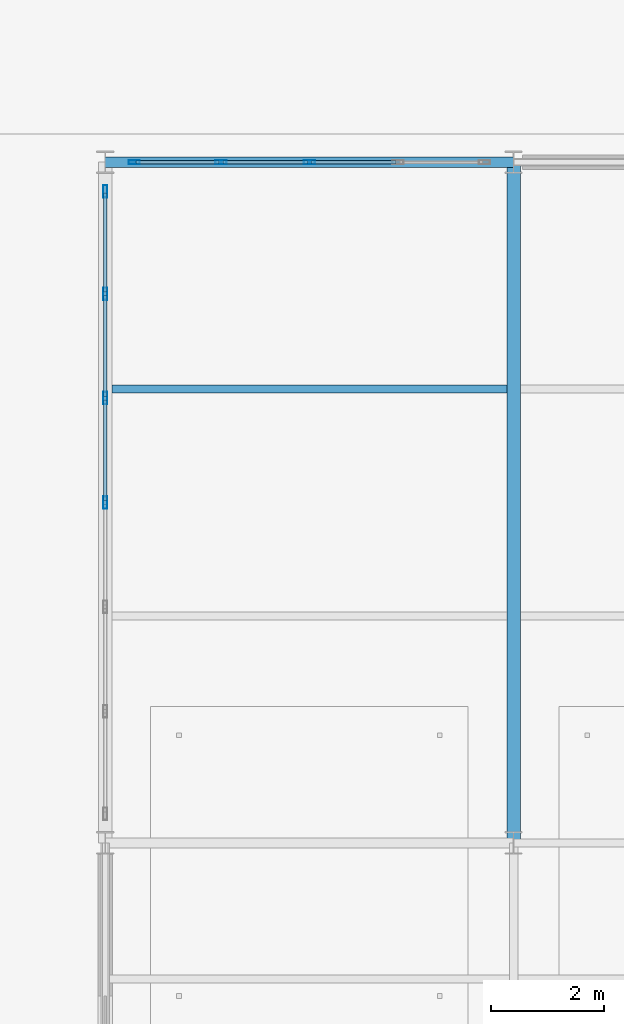
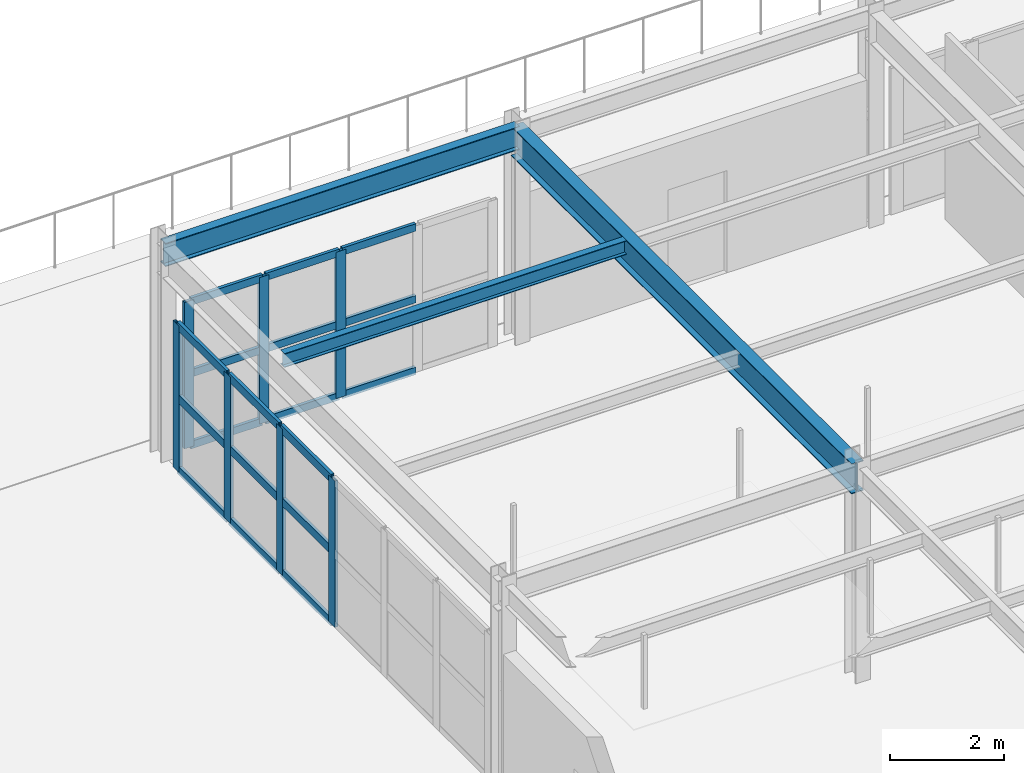
# One storey, part 16 of 41: 25 members, 3 beams, 2 elements without a shape of their own.
"""IFC4 building model written with IfcOpenShell, lengths in metres."""

from ifc_helpers import new_model, si_unit, direction, frame, origin, origin_2d, place, context, subcontext, project, spatial, hollow_rectangle, i_section, extrude, material, layer, layer_set, material_profile, profile_set, type_object, element, aggregate, save


model = new_model("IFC4")

# Units and contexts
model_context = context("Model", 3, precision=1e-05, world=origin(), true_north=direction((0.0, 1.0)))
body_context = subcontext(model_context, "Body", "Model", "MODEL_VIEW")
ifc_project = project(units=[si_unit("LENGTHUNIT", "METRE"), si_unit("AREAUNIT", "SQUARE_METRE"), si_unit("VOLUMEUNIT", "CUBIC_METRE"), si_unit("PLANEANGLEUNIT", "RADIAN"), si_unit("MASSUNIT", "GRAM", prefix="KILO")], contexts=[model_context])

# Site, building, storey
site_placement = place(None, origin())
site = spatial("IfcSite", under=ifc_project, at=site_placement, CompositionType="ELEMENT")
building_placement = place(site_placement, origin())
building = spatial("IfcBuilding", under=site, at=building_placement, Name="Solvadek Multi-Sports Hall", CompositionType="ELEMENT")
storey_placement = place(building_placement, frame((0.0, 0.0, 14.39990234375)))
storey = spatial("IfcBuildingStorey", under=building, at=storey_placement, Name="L03", CompositionType="ELEMENT", Elevation=14.39990234375)

# Curtain wall, members
ifc_material_1 = material(Name="Anodised aluminium", Category="aluminium")
ifc_layer_1 = layer(ifc_material_1, 0.159912109375, Name="Anodised aluminium")
ifc_layer_set_1 = layer_set([ifc_layer_1], Name="Anodised aluminium")
curtain_wall_type_1 = type_object("IfcCurtainWallType", Name="ENV-CW-624X315", PredefinedType="USERDEFINED", material=ifc_layer_set_1)
curtain_wall_1_placement = place(storey_placement, origin())
curtain_wall_1 = element("IfcCurtainWall", 1, at=curtain_wall_1_placement, inside=storey, type_object=curtain_wall_type_1, Name="L03 Perimeter Bay Curtain Wall #204", ObjectType="CURTAIN WALL", PredefinedType="USERDEFINED")
ifc_material_profile_1 = material_profile(ifc_material_1, hollow_rectangle(XDim=0.06494140625, YDim=0.199951171875, WallThickness=0.0048828125, at=origin_2d()), Name="ALU-M 200x65x5")
ifc_profile_set_1 = profile_set([ifc_material_profile_1], Name="Anodised aluminium")
member_type_1 = type_object("IfcMemberType", Name="ENV-CWM-03", PredefinedType="MULLION", material=ifc_profile_set_1)
member_1_placement = place(storey_placement, frame((14.91259765625, 104.39990234375, 0.0), z_axis=(0.0, 0.0, 1.0), x_axis=(0.0, 1.0, 0.0)))
member_1 = element("IfcMember", 2, at=member_1_placement, type_object=member_type_1, Name="CW-44 mullion 1", PredefinedType="MULLION", context=body_context, shape_type="SweptSolid", body=[
    extrude(hollow_rectangle(XDim=0.06494140625, YDim=0.199951171875, WallThickness=0.0048828125, at=origin_2d()), origin(), (0.0, 0.0, 1.0), 3.150146484375),
])
member_2_placement = place(storey_placement, frame((16.43994140625, 104.39990234375, 0.0), z_axis=(0.0, 0.0, 1.0), x_axis=(0.0, 1.0, 0.0)))
member_2 = element("IfcMember", 3, at=member_2_placement, type_object=member_type_1, Name="CW-44 mullion 2", PredefinedType="MULLION", context=body_context, shape_type="SweptSolid", body=[
    extrude(hollow_rectangle(XDim=0.06494140625, YDim=0.199951171875, WallThickness=0.0048828125, at=origin_2d()), origin(), (0.0, 0.0, 1.0), 3.150146484375),
])
member_3_placement = place(storey_placement, frame((18.0, 104.39990234375, 0.0), z_axis=(0.0, 0.0, 1.0), x_axis=(0.0, 1.0, 0.0)))
member_3 = element("IfcMember", 4, at=member_3_placement, type_object=member_type_1, Name="CW-44 mullion 3", PredefinedType="MULLION", context=body_context, shape_type="SweptSolid", body=[
    extrude(hollow_rectangle(XDim=0.06494140625, YDim=0.199951171875, WallThickness=0.0048828125, at=origin_2d()), origin(), (0.0, 0.0, 1.0), 3.150146484375),
])

ifc_layer_2 = layer(ifc_material_1, 0.159912109375, Name="Anodised aluminium")
ifc_layer_set_2 = layer_set([ifc_layer_2], Name="Anodised aluminium")
curtain_wall_type_2 = type_object("IfcCurtainWallType", Name="ENV-CW-1104X315", PredefinedType="USERDEFINED", material=ifc_layer_set_2)
curtain_wall_2_placement = place(storey_placement, origin())
curtain_wall_2 = element("IfcCurtainWall", 5, at=curtain_wall_2_placement, inside=storey, type_object=curtain_wall_type_2, Name="L03 Perimeter Bay Curtain Wall #209", ObjectType="CURTAIN WALL", PredefinedType="USERDEFINED")
ifc_material_profile_2 = material_profile(ifc_material_1, hollow_rectangle(XDim=0.06494140625, YDim=0.219970703125, WallThickness=0.0048828125, at=origin_2d()), Name="ALU-M 220x65x5")
ifc_profile_set_2 = profile_set([ifc_material_profile_2], Name="Anodised aluminium")
member_type_2 = type_object("IfcMemberType", Name="ENV-CWM-04", PredefinedType="MULLION", material=ifc_profile_set_2)
member_4_placement = place(storey_placement, frame((14.39990234375, 98.39990234375, 0.0), z_axis=(0.0, 0.0, 1.0), x_axis=(-1.0, 0.0, 0.0)))
member_4 = element("IfcMember", 6, at=member_4_placement, type_object=member_type_2, Name="CW-58 mullion 4", PredefinedType="MULLION", context=body_context, shape_type="SweptSolid", body=[
    extrude(hollow_rectangle(XDim=0.06494140625, YDim=0.219970703125, WallThickness=0.0048828125, at=origin_2d()), origin(), (0.0, 0.0, 1.0), 3.150146484375),
])
member_5_placement = place(storey_placement, frame((14.39990234375, 100.239990234375, 0.0), z_axis=(0.0, 0.0, 1.0), x_axis=(-1.0, 0.0, 0.0)))
member_5 = element("IfcMember", 7, at=member_5_placement, type_object=member_type_2, Name="CW-58 mullion 5", PredefinedType="MULLION", context=body_context, shape_type="SweptSolid", body=[
    extrude(hollow_rectangle(XDim=0.06494140625, YDim=0.219970703125, WallThickness=0.0048828125, at=origin_2d()), origin(), (0.0, 0.0, 1.0), 3.150146484375),
])
member_6_placement = place(storey_placement, frame((14.39990234375, 102.080078125, 0.0), z_axis=(0.0, 0.0, 1.0), x_axis=(-1.0, 0.0, 0.0)))
member_6 = element("IfcMember", 8, at=member_6_placement, type_object=member_type_2, Name="CW-58 mullion 6", PredefinedType="MULLION", context=body_context, shape_type="SweptSolid", body=[
    extrude(hollow_rectangle(XDim=0.06494140625, YDim=0.219970703125, WallThickness=0.0048828125, at=origin_2d()), origin(), (0.0, 0.0, 1.0), 3.150146484375),
])
member_7_placement = place(storey_placement, frame((14.39990234375, 103.887451171875, 0.0), z_axis=(0.0, 0.0, 1.0), x_axis=(-1.0, 0.0, 0.0)))
member_7 = element("IfcMember", 9, at=member_7_placement, type_object=member_type_2, Name="CW-58 mullion 7", PredefinedType="MULLION", context=body_context, shape_type="SweptSolid", body=[
    extrude(hollow_rectangle(XDim=0.06494140625, YDim=0.219970703125, WallThickness=0.0048828125, at=origin_2d()), origin(), (0.0, 0.0, 1.0), 3.150146484375),
])

# Member
ifc_material_profile_3 = material_profile(ifc_material_1, hollow_rectangle(XDim=0.06494140625, YDim=0.159912109375, WallThickness=0.00390625, at=origin_2d()), Name="ALU-T 160x65x4")
ifc_profile_set_3 = profile_set([ifc_material_profile_3], Name="Anodised aluminium")
member_type_3 = type_object("IfcMemberType", Name="ENV-CWT-03", PredefinedType="USERDEFINED", material=ifc_profile_set_3)
member_8_placement = place(storey_placement, frame((14.945068359375, 104.39990234375, 0.03271484375), z_axis=(1.0, 0.0, 0.0), x_axis=(0.0, 1.0, 0.0)))
member_8 = element("IfcMember", 10, at=member_8_placement, type_object=member_type_3, Name="CW-44 transom 1.1", ObjectType="TRANSOM", PredefinedType="USERDEFINED", context=body_context, shape_type="SweptSolid", body=[
    extrude(hollow_rectangle(XDim=0.06494140625, YDim=0.159912109375, WallThickness=0.00390625, at=origin_2d()), origin(), (0.0, 0.0, 1.0), 1.46240234375),
])

member_9_placement = place(storey_placement, frame((14.945068359375, 104.39990234375, 1.5751953125), z_axis=(1.0, 0.0, 0.0), x_axis=(0.0, 1.0, 0.0)))
member_9 = element("IfcMember", 11, at=member_9_placement, type_object=member_type_3, Name="CW-44 transom 1.2", ObjectType="TRANSOM", PredefinedType="USERDEFINED", context=body_context, shape_type="SweptSolid", body=[
    extrude(hollow_rectangle(XDim=0.06494140625, YDim=0.159912109375, WallThickness=0.00390625, at=origin_2d()), origin(), (0.0, 0.0, 1.0), 1.46240234375),
])

member_10_placement = place(storey_placement, frame((14.945068359375, 104.39990234375, 3.11767578125), z_axis=(1.0, 0.0, 0.0), x_axis=(0.0, 1.0, 0.0)))
member_10 = element("IfcMember", 12, at=member_10_placement, type_object=member_type_3, Name="CW-44 transom 1.3", ObjectType="TRANSOM", PredefinedType="USERDEFINED", context=body_context, shape_type="SweptSolid", body=[
    extrude(hollow_rectangle(XDim=0.06494140625, YDim=0.159912109375, WallThickness=0.00390625, at=origin_2d()), origin(), (0.0, 0.0, 1.0), 1.46240234375),
])

member_11_placement = place(storey_placement, frame((16.472412109375, 104.39990234375, 0.03271484375), z_axis=(1.0, 0.0, 0.0), x_axis=(0.0, 1.0, 0.0)))
member_11 = element("IfcMember", 13, at=member_11_placement, type_object=member_type_3, Name="CW-44 transom 2.1", ObjectType="TRANSOM", PredefinedType="USERDEFINED", context=body_context, shape_type="SweptSolid", body=[
    extrude(hollow_rectangle(XDim=0.06494140625, YDim=0.159912109375, WallThickness=0.00390625, at=origin_2d()), origin(), (0.0, 0.0, 1.0), 1.4951171875),
])

member_12_placement = place(storey_placement, frame((16.472412109375, 104.39990234375, 1.5751953125), z_axis=(1.0, 0.0, 0.0), x_axis=(0.0, 1.0, 0.0)))
member_12 = element("IfcMember", 14, at=member_12_placement, type_object=member_type_3, Name="CW-44 transom 2.2", ObjectType="TRANSOM", PredefinedType="USERDEFINED", context=body_context, shape_type="SweptSolid", body=[
    extrude(hollow_rectangle(XDim=0.06494140625, YDim=0.159912109375, WallThickness=0.00390625, at=origin_2d()), origin(), (0.0, 0.0, 1.0), 1.4951171875),
])

member_13_placement = place(storey_placement, frame((16.472412109375, 104.39990234375, 3.11767578125), z_axis=(1.0, 0.0, 0.0), x_axis=(0.0, 1.0, 0.0)))
member_13 = element("IfcMember", 15, at=member_13_placement, type_object=member_type_3, Name="CW-44 transom 2.3", ObjectType="TRANSOM", PredefinedType="USERDEFINED", context=body_context, shape_type="SweptSolid", body=[
    extrude(hollow_rectangle(XDim=0.06494140625, YDim=0.159912109375, WallThickness=0.00390625, at=origin_2d()), origin(), (0.0, 0.0, 1.0), 1.4951171875),
])

member_14_placement = place(storey_placement, frame((18.032470703125, 104.39990234375, 0.03271484375), z_axis=(1.0, 0.0, 0.0), x_axis=(0.0, 1.0, 0.0)))
member_14 = element("IfcMember", 16, at=member_14_placement, type_object=member_type_3, Name="CW-44 transom 3.1", ObjectType="TRANSOM", PredefinedType="USERDEFINED", context=body_context, shape_type="SweptSolid", body=[
    extrude(hollow_rectangle(XDim=0.06494140625, YDim=0.159912109375, WallThickness=0.00390625, at=origin_2d()), origin(), (0.0, 0.0, 1.0), 1.4951171875),
])

member_15_placement = place(storey_placement, frame((18.032470703125, 104.39990234375, 1.5751953125), z_axis=(1.0, 0.0, 0.0), x_axis=(0.0, 1.0, 0.0)))
member_15 = element("IfcMember", 17, at=member_15_placement, type_object=member_type_3, Name="CW-44 transom 3.2", ObjectType="TRANSOM", PredefinedType="USERDEFINED", context=body_context, shape_type="SweptSolid", body=[
    extrude(hollow_rectangle(XDim=0.06494140625, YDim=0.159912109375, WallThickness=0.00390625, at=origin_2d()), origin(), (0.0, 0.0, 1.0), 1.4951171875),
])

member_16_placement = place(storey_placement, frame((18.032470703125, 104.39990234375, 3.11767578125), z_axis=(1.0, 0.0, 0.0), x_axis=(0.0, 1.0, 0.0)))
member_16 = element("IfcMember", 18, at=member_16_placement, type_object=member_type_3, Name="CW-44 transom 3.3", ObjectType="TRANSOM", PredefinedType="USERDEFINED", context=body_context, shape_type="SweptSolid", body=[
    extrude(hollow_rectangle(XDim=0.06494140625, YDim=0.159912109375, WallThickness=0.00390625, at=origin_2d()), origin(), (0.0, 0.0, 1.0), 1.4951171875),
])

aggregate(curtain_wall_1, [member_1, member_2, member_3, member_8, member_9, member_10, member_11, member_12, member_13, member_14, member_15, member_16])

ifc_material_profile_4 = material_profile(ifc_material_1, hollow_rectangle(XDim=0.06494140625, YDim=0.179931640625, WallThickness=0.0048828125, at=origin_2d()), Name="ALU-T 180x65x5")
ifc_profile_set_4 = profile_set([ifc_material_profile_4], Name="Anodised aluminium")
member_type_4 = type_object("IfcMemberType", Name="ENV-CWT-04", PredefinedType="USERDEFINED", material=ifc_profile_set_4)
member_17_placement = place(storey_placement, frame((14.39990234375, 98.4326171875, 0.03271484375), z_axis=(0.0, 1.0, 0.0), x_axis=(-1.0, 0.0, 0.0)))
member_17 = element("IfcMember", 19, at=member_17_placement, type_object=member_type_4, Name="CW-58 transom 4.1", ObjectType="TRANSOM", PredefinedType="USERDEFINED", context=body_context, shape_type="SweptSolid", body=[
    extrude(hollow_rectangle(XDim=0.06494140625, YDim=0.179931640625, WallThickness=0.0048828125, at=origin_2d()), origin(), (0.0, 0.0, 1.0), 1.77490234375),
])

member_18_placement = place(storey_placement, frame((14.39990234375, 98.4326171875, 1.5751953125), z_axis=(0.0, 1.0, 0.0), x_axis=(-1.0, 0.0, 0.0)))
member_18 = element("IfcMember", 20, at=member_18_placement, type_object=member_type_4, Name="CW-58 transom 4.2", ObjectType="TRANSOM", PredefinedType="USERDEFINED", context=body_context, shape_type="SweptSolid", body=[
    extrude(hollow_rectangle(XDim=0.06494140625, YDim=0.179931640625, WallThickness=0.0048828125, at=origin_2d()), origin(), (0.0, 0.0, 1.0), 1.77490234375),
])

member_19_placement = place(storey_placement, frame((14.39990234375, 98.4326171875, 3.11767578125), z_axis=(0.0, 1.0, 0.0), x_axis=(-1.0, 0.0, 0.0)))
member_19 = element("IfcMember", 21, at=member_19_placement, type_object=member_type_4, Name="CW-58 transom 4.3", ObjectType="TRANSOM", PredefinedType="USERDEFINED", context=body_context, shape_type="SweptSolid", body=[
    extrude(hollow_rectangle(XDim=0.06494140625, YDim=0.179931640625, WallThickness=0.0048828125, at=origin_2d()), origin(), (0.0, 0.0, 1.0), 1.77490234375),
])

member_20_placement = place(storey_placement, frame((14.39990234375, 100.2724609375, 0.03271484375), z_axis=(0.0, 1.0, 0.0), x_axis=(-1.0, 0.0, 0.0)))
member_20 = element("IfcMember", 22, at=member_20_placement, type_object=member_type_4, Name="CW-58 transom 5.1", ObjectType="TRANSOM", PredefinedType="USERDEFINED", context=body_context, shape_type="SweptSolid", body=[
    extrude(hollow_rectangle(XDim=0.06494140625, YDim=0.179931640625, WallThickness=0.0048828125, at=origin_2d()), origin(), (0.0, 0.0, 1.0), 1.775146484375),
])

member_21_placement = place(storey_placement, frame((14.39990234375, 100.2724609375, 1.5751953125), z_axis=(0.0, 1.0, 0.0), x_axis=(-1.0, 0.0, 0.0)))
member_21 = element("IfcMember", 23, at=member_21_placement, type_object=member_type_4, Name="CW-58 transom 5.2", ObjectType="TRANSOM", PredefinedType="USERDEFINED", context=body_context, shape_type="SweptSolid", body=[
    extrude(hollow_rectangle(XDim=0.06494140625, YDim=0.179931640625, WallThickness=0.0048828125, at=origin_2d()), origin(), (0.0, 0.0, 1.0), 1.775146484375),
])

member_22_placement = place(storey_placement, frame((14.39990234375, 100.2724609375, 3.11767578125), z_axis=(0.0, 1.0, 0.0), x_axis=(-1.0, 0.0, 0.0)))
member_22 = element("IfcMember", 24, at=member_22_placement, type_object=member_type_4, Name="CW-58 transom 5.3", ObjectType="TRANSOM", PredefinedType="USERDEFINED", context=body_context, shape_type="SweptSolid", body=[
    extrude(hollow_rectangle(XDim=0.06494140625, YDim=0.179931640625, WallThickness=0.0048828125, at=origin_2d()), origin(), (0.0, 0.0, 1.0), 1.775146484375),
])

member_23_placement = place(storey_placement, frame((14.39990234375, 102.112548828125, 0.03271484375), z_axis=(0.0, 1.0, 0.0), x_axis=(-1.0, 0.0, 0.0)))
member_23 = element("IfcMember", 25, at=member_23_placement, type_object=member_type_4, Name="CW-58 transom 6.1", ObjectType="TRANSOM", PredefinedType="USERDEFINED", context=body_context, shape_type="SweptSolid", body=[
    extrude(hollow_rectangle(XDim=0.06494140625, YDim=0.179931640625, WallThickness=0.0048828125, at=origin_2d()), origin(), (0.0, 0.0, 1.0), 1.742431640625),
])

member_24_placement = place(storey_placement, frame((14.39990234375, 102.112548828125, 1.5751953125), z_axis=(0.0, 1.0, 0.0), x_axis=(-1.0, 0.0, 0.0)))
member_24 = element("IfcMember", 26, at=member_24_placement, type_object=member_type_4, Name="CW-58 transom 6.2", ObjectType="TRANSOM", PredefinedType="USERDEFINED", context=body_context, shape_type="SweptSolid", body=[
    extrude(hollow_rectangle(XDim=0.06494140625, YDim=0.179931640625, WallThickness=0.0048828125, at=origin_2d()), origin(), (0.0, 0.0, 1.0), 1.742431640625),
])

member_25_placement = place(storey_placement, frame((14.39990234375, 102.112548828125, 3.11767578125), z_axis=(0.0, 1.0, 0.0), x_axis=(-1.0, 0.0, 0.0)))
member_25 = element("IfcMember", 27, at=member_25_placement, type_object=member_type_4, Name="CW-58 transom 6.3", ObjectType="TRANSOM", PredefinedType="USERDEFINED", context=body_context, shape_type="SweptSolid", body=[
    extrude(hollow_rectangle(XDim=0.06494140625, YDim=0.179931640625, WallThickness=0.0048828125, at=origin_2d()), origin(), (0.0, 0.0, 1.0), 1.742431640625),
])

aggregate(curtain_wall_2, [member_4, member_5, member_6, member_7, member_17, member_18, member_19, member_20, member_21, member_22, member_23, member_24, member_25])

# Beams
ifc_material_2 = material(Name="Steel E350 (350 MPa)", Category="steel")
ifc_material_profile_5 = material_profile(ifc_material_2, i_section(OverallWidth=0.179931640625, OverallDepth=0.5, WebThickness=0.01025390625, FlangeThickness=0.01708984375, at=origin_2d()), Name="ISMB 500")
ifc_profile_set_5 = profile_set([ifc_material_profile_5], Name="Steel E350 (350 MPa)")
beam_type_1 = type_object("IfcBeamType", Name="STR-BM-ISMB500", PredefinedType="BEAM", material=ifc_profile_set_5)
beam_1_placement = place(storey_placement, frame((14.39990234375, 104.39990234375, 4.35009765625), z_axis=(1.0, 0.0, 0.0), x_axis=(0.0, 1.0, 0.0)))
element("IfcBeam", 28, at=beam_1_placement, inside=storey, type_object=beam_type_1, Name="L03 Girder B-07 #1643", PredefinedType="BEAM", context=body_context, shape_type="SweptSolid", body=[
    extrude(i_section(OverallWidth=0.179931640625, OverallDepth=0.5, WebThickness=0.01025390625, FlangeThickness=0.01708984375, at=origin_2d()), origin(), (0.0, 0.0, 1.0), 7.2001953125),
])
ifc_material_profile_6 = material_profile(ifc_material_2, i_section(OverallWidth=0.239990234375, OverallDepth=0.64990234375, WebThickness=0.0126953125, FlangeThickness=0.0205078125, at=origin_2d()), Name="NPB 650")
ifc_profile_set_6 = profile_set([ifc_material_profile_6], Name="Steel E350 (350 MPa)")
beam_type_2 = type_object("IfcBeamType", Name="STR-BM-NPB650", PredefinedType="BEAM", material=ifc_profile_set_6)
beam_2_placement = place(storey_placement, frame((21.60009765625, 92.39990234375, 4.275146484375), z_axis=(0.0, 1.0, 0.0), x_axis=(-1.0, 0.0, 0.0)))
element("IfcBeam", 29, at=beam_2_placement, inside=storey, type_object=beam_type_2, Name="L03 Girder B-03 #1662", PredefinedType="BEAM", context=body_context, shape_type="SweptSolid", body=[
    extrude(i_section(OverallWidth=0.239990234375, OverallDepth=0.64990234375, WebThickness=0.0126953125, FlangeThickness=0.0205078125, at=origin_2d()), origin(), (0.0, 0.0, 1.0), 12.0),
])
ifc_material_profile_7 = material_profile(ifc_material_2, i_section(OverallWidth=0.139892578125, OverallDepth=0.300048828125, WebThickness=0.0078125, FlangeThickness=0.01318359375, at=origin_2d()), Name="ISMB 300")
ifc_profile_set_7 = profile_set([ifc_material_profile_7], Name="Steel E350 (350 MPa)")
beam_type_3 = type_object("IfcBeamType", Name="STR-JST-ISMB300", PredefinedType="JOIST", material=ifc_profile_set_7)
beam_3_placement = place(storey_placement, frame((14.52001953125, 100.39990234375, 4.4501953125), z_axis=(1.0, 0.0, 0.0), x_axis=(0.0, 1.0, 0.0)))
element("IfcBeam", 30, at=beam_3_placement, inside=storey, type_object=beam_type_3, Name="L03 Composite Joist J-03 #935", PredefinedType="JOIST", context=body_context, shape_type="SweptSolid", body=[
    extrude(i_section(OverallWidth=0.139892578125, OverallDepth=0.300048828125, WebThickness=0.0078125, FlangeThickness=0.01318359375, at=origin_2d()), origin(), (0.0, 0.0, 1.0), 6.9599609375),
])

save(model, "model.ifc")
